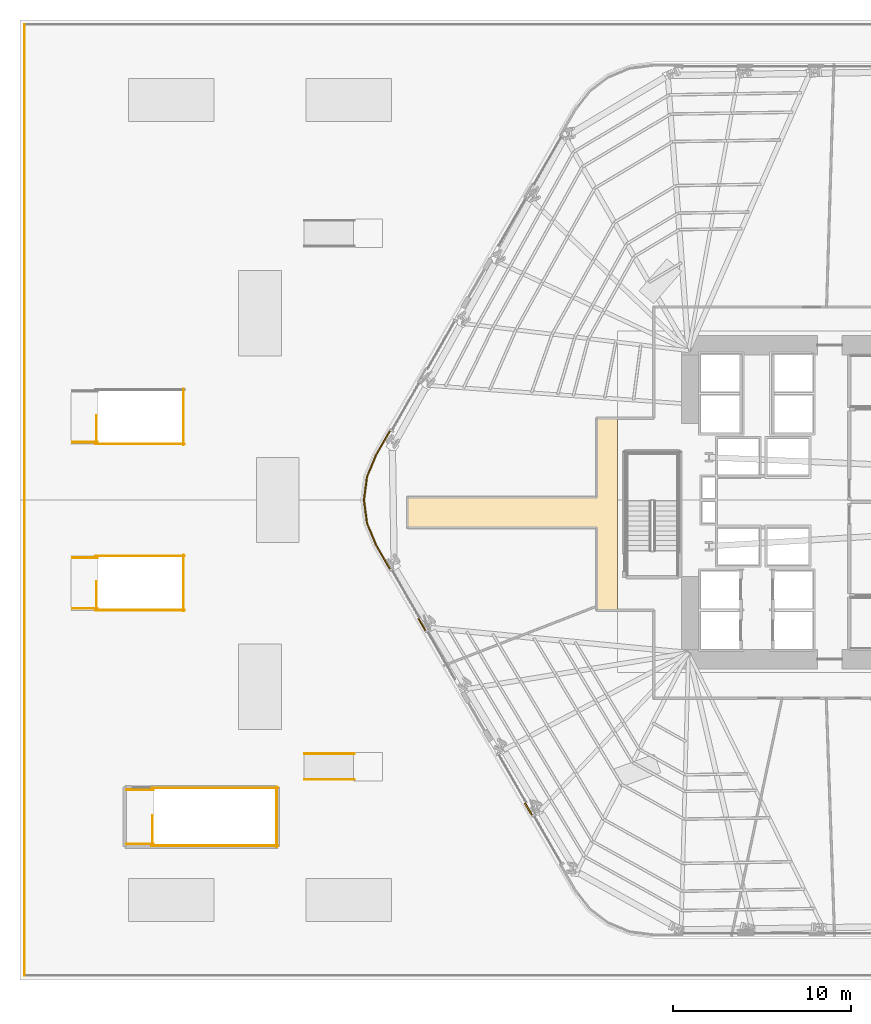
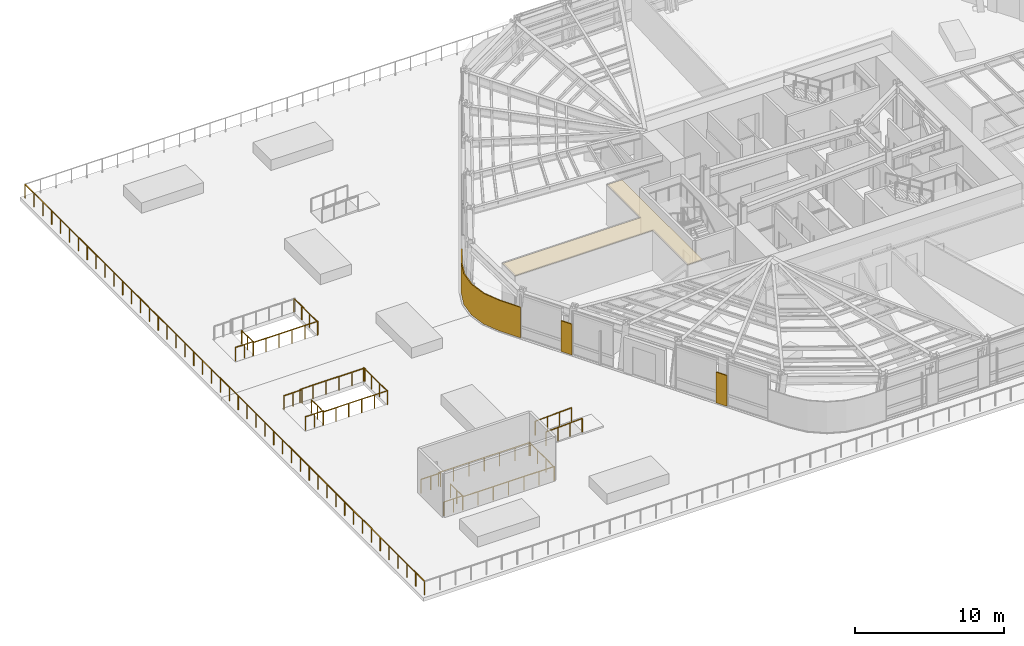
# One storey, part 11 of 18: 19 railings, 4 coverings.
"""IFC4 building model written with IfcOpenShell, lengths in metres."""

from ifc_helpers import new_model, si_unit, direction, frame, origin, origin_2d, place, context, subcontext, project, spatial, polyline, circle, outline, extrude, material, layer, layer_set, type_object, element, save


model = new_model("IFC4")

# Units and contexts
model_context = context("Model", 3, precision=1e-05, world=origin(), true_north=direction((0.0, 1.0)))
body_context = subcontext(model_context, "Body", "Model", "MODEL_VIEW")
ifc_project = project(units=[si_unit("LENGTHUNIT", "METRE"), si_unit("AREAUNIT", "SQUARE_METRE"), si_unit("VOLUMEUNIT", "CUBIC_METRE"), si_unit("PLANEANGLEUNIT", "RADIAN"), si_unit("MASSUNIT", "GRAM", prefix="KILO")], contexts=[model_context])

# Site, building, storey
site_placement = place(None, origin())
site = spatial("IfcSite", under=ifc_project, at=site_placement, CompositionType="ELEMENT")
building_placement = place(site_placement, origin())
building = spatial("IfcBuilding", under=site, at=building_placement, Name="Valkerne Bourse Tower", CompositionType="ELEMENT")
storey_placement = place(building_placement, frame((0.0, 0.0, 24.0)))
storey = spatial("IfcBuildingStorey", under=building, at=storey_placement, Name="L05", CompositionType="ELEMENT", Elevation=24.0)

# Coverings
ifc_material_1 = material(Name="Bronze Anodised Aluminium AA 6063-T6", Category="aluminium")
ifc_layer_1 = layer(ifc_material_1, 0.030029296875)
ifc_layer_set_1 = layer_set([ifc_layer_1], Name="Bronze Anodised Aluminium AA 6063-T6")
covering_type_1 = type_object("IfcCoveringType", Name="COV-CEIL-METAL", PredefinedType="CEILING", material=ifc_layer_set_1)
covering_1_placement = place(storey_placement, frame((0.0, 0.0, 3.22998046875)))
element("IfcCovering", 1, at=covering_1_placement, inside=storey, type_object=covering_type_1, Name="L05 Suspended Ceiling 02", PredefinedType="CEILING", context=body_context, shape_type="SweptSolid", body=[
    extrude(outline(polyline([(32.4541015625, 20.803955078125), (32.4541015625, 25.4541015625), (21.803955078125, 25.4541015625), (21.803955078125, 27.14599609375), (32.4541015625, 27.14599609375), (32.4541015625, 31.595947265625), (33.60009765625, 31.595947265625), (33.60009765625, 20.803955078125), (32.4541015625, 20.803955078125)])), origin(), (0.0, 0.0, 1.0), 0.02490234375),
])
ifc_layer_2 = layer(ifc_material_1, 0.06005859375)
ifc_layer_set_2 = layer_set([ifc_layer_2], Name="Bronze Anodised Aluminium AA 6063-T6")
covering_type_2 = type_object("IfcCoveringType", Name="COV-CRN-ALUM", PredefinedType="CLADDING", material=ifc_layer_set_2)
covering_2_placement = place(storey_placement, origin())
element("IfcCovering", 2, at=covering_2_placement, inside=storey, type_object=covering_type_2, Name="L05 Wind-Shaped Corner Aluminium Cladding 07", PredefinedType="CLADDING", context=body_context, shape_type="SweptSolid", body=[
    extrude(outline(polyline([(28.373779296875, 9.925048828125), (28.44287109375, 9.965087890625), (28.86279296875, 9.23779296875), (28.793701171875, 9.19775390625), (28.373779296875, 9.925048828125)])), origin(), (0.0, 0.0, 1.0), 2.5),
])
covering_3_placement = place(storey_placement, origin())
element("IfcCovering", 3, at=covering_3_placement, inside=storey, type_object=covering_type_2, Name="L05 Wind-Shaped Corner Aluminium Cladding 10", PredefinedType="CLADDING", context=body_context, shape_type="SweptSolid", body=[
    extrude(outline(polyline([(22.379638671875, 20.30712890625), (22.448974609375, 20.34716796875), (22.868896484375, 19.61962890625), (22.799560546875, 19.57958984375), (22.379638671875, 20.30712890625)])), origin(), (0.0, 0.0, 1.0), 2.5),
])
covering_4_placement = place(storey_placement, origin())
element("IfcCovering", 4, at=covering_4_placement, inside=storey, type_object=covering_type_2, Name="L05 Wind-Shaped Corner Aluminium Cladding 11", PredefinedType="CLADDING", context=body_context, shape_type="SweptSolid", body=[
    extrude(outline(polyline([(19.990966796875, 24.4443359375), (19.47900390625, 25.68017578125), (19.305419921875, 27.0), (19.47900390625, 28.31982421875), (19.990966796875, 29.5556640625), (20.801513671875, 30.959716796875), (20.870849609375, 30.919677734375), (20.06298828125, 29.520263671875), (19.556884765625, 28.298828125), (19.385986328125, 27.0), (19.556884765625, 25.701171875), (20.06298828125, 24.479736328125), (20.870849609375, 23.080322265625), (20.801513671875, 23.040283203125), (19.990966796875, 24.4443359375)])), origin(), (0.0, 0.0, 1.0), 2.5),
])

# Railings
ifc_material_2 = material(Name="Laminated Tempered Safety Glass", Category="glass")
railing_type_1 = type_object("IfcRailingType", Name="RLG-GUARD-1150", PredefinedType="BALUSTRADE", material=ifc_material_2)
railing_1_placement = place(storey_placement, frame((0.25, 53.75, 0.0)))
element("IfcRailing", 5, at=railing_1_placement, inside=storey, type_object=railing_type_1, Name="L05 Perimeter Guard Railing GRD-L05-OUT-04", PredefinedType="BALUSTRADE", context=body_context, shape_type="SweptSolid", body=[
    extrude(circle(Radius=0.02392578125, at=origin_2d()), frame((0.0, 0.0, 1.1259765625), z_axis=(0.0, -1.0, 0.0), x_axis=(1.0, 0.0, 0.0)), (0.0, 0.0, 1.0), 53.5),
    extrude(circle(Radius=0.02099609375, at=origin_2d()), origin(), (0.0, 0.0, 1.0), 1.101806640625),
    extrude(circle(Radius=0.02099609375, at=origin_2d()), frame((0.0, -1.18896484375, 0.0)), (0.0, 0.0, 1.0), 1.101806640625),
    extrude(circle(Radius=0.02099609375, at=origin_2d()), frame((0.0, -2.377685546875, 0.0)), (0.0, 0.0, 1.0), 1.101806640625),
    extrude(circle(Radius=0.02099609375, at=origin_2d()), frame((0.0, -3.566650390625, 0.0)), (0.0, 0.0, 1.0), 1.101806640625),
    extrude(circle(Radius=0.02099609375, at=origin_2d()), frame((0.0, -4.755615234375, 0.0)), (0.0, 0.0, 1.0), 1.101806640625),
    extrude(circle(Radius=0.02099609375, at=origin_2d()), frame((0.0, -5.9443359375, 0.0)), (0.0, 0.0, 1.0), 1.101806640625),
    extrude(circle(Radius=0.02099609375, at=origin_2d()), frame((0.0, -7.13330078125, 0.0)), (0.0, 0.0, 1.0), 1.101806640625),
    extrude(circle(Radius=0.02099609375, at=origin_2d()), frame((0.0, -8.322265625, 0.0)), (0.0, 0.0, 1.0), 1.101806640625),
    extrude(circle(Radius=0.02099609375, at=origin_2d()), frame((0.0, -9.51123046875, 0.0)), (0.0, 0.0, 1.0), 1.101806640625),
    extrude(circle(Radius=0.02099609375, at=origin_2d()), frame((0.0, -10.699951171875, 0.0)), (0.0, 0.0, 1.0), 1.101806640625),
    extrude(circle(Radius=0.02099609375, at=origin_2d()), frame((0.0, -11.888916015625, 0.0)), (0.0, 0.0, 1.0), 1.101806640625),
    extrude(circle(Radius=0.02099609375, at=origin_2d()), frame((0.0, -13.077880859375, 0.0)), (0.0, 0.0, 1.0), 1.101806640625),
    extrude(circle(Radius=0.02099609375, at=origin_2d()), frame((0.0, -14.2666015625, 0.0)), (0.0, 0.0, 1.0), 1.101806640625),
    extrude(circle(Radius=0.02099609375, at=origin_2d()), frame((0.0, -15.45556640625, 0.0)), (0.0, 0.0, 1.0), 1.101806640625),
    extrude(circle(Radius=0.02099609375, at=origin_2d()), frame((0.0, -16.64453125, 0.0)), (0.0, 0.0, 1.0), 1.101806640625),
    extrude(circle(Radius=0.02099609375, at=origin_2d()), frame((0.0, -17.833251953125, 0.0)), (0.0, 0.0, 1.0), 1.101806640625),
    extrude(circle(Radius=0.02099609375, at=origin_2d()), frame((0.0, -19.022216796875, 0.0)), (0.0, 0.0, 1.0), 1.101806640625),
    extrude(circle(Radius=0.02099609375, at=origin_2d()), frame((0.0, -20.211181640625, 0.0)), (0.0, 0.0, 1.0), 1.101806640625),
    extrude(circle(Radius=0.02099609375, at=origin_2d()), frame((0.0, -21.39990234375, 0.0)), (0.0, 0.0, 1.0), 1.101806640625),
    extrude(circle(Radius=0.02099609375, at=origin_2d()), frame((0.0, -22.5888671875, 0.0)), (0.0, 0.0, 1.0), 1.101806640625),
    extrude(circle(Radius=0.02099609375, at=origin_2d()), frame((0.0, -23.77783203125, 0.0)), (0.0, 0.0, 1.0), 1.101806640625),
    extrude(circle(Radius=0.02099609375, at=origin_2d()), frame((0.0, -24.966552734375, 0.0)), (0.0, 0.0, 1.0), 1.101806640625),
    extrude(circle(Radius=0.02099609375, at=origin_2d()), frame((0.0, -26.155517578125, 0.0)), (0.0, 0.0, 1.0), 1.101806640625),
    extrude(circle(Radius=0.02099609375, at=origin_2d()), frame((0.0, -27.344482421875, 0.0)), (0.0, 0.0, 1.0), 1.101806640625),
    extrude(circle(Radius=0.02099609375, at=origin_2d()), frame((0.0, -28.533447265625, 0.0)), (0.0, 0.0, 1.0), 1.101806640625),
    extrude(circle(Radius=0.02099609375, at=origin_2d()), frame((0.0, -29.72216796875, 0.0)), (0.0, 0.0, 1.0), 1.101806640625),
    extrude(circle(Radius=0.02099609375, at=origin_2d()), frame((0.0, -30.9111328125, 0.0)), (0.0, 0.0, 1.0), 1.101806640625),
    extrude(circle(Radius=0.02099609375, at=origin_2d()), frame((0.0, -32.10009765625, 0.0)), (0.0, 0.0, 1.0), 1.101806640625),
    extrude(circle(Radius=0.02099609375, at=origin_2d()), frame((0.0, -33.288818359375, 0.0)), (0.0, 0.0, 1.0), 1.101806640625),
    extrude(circle(Radius=0.02099609375, at=origin_2d()), frame((0.0, -34.477783203125, 0.0)), (0.0, 0.0, 1.0), 1.101806640625),
    extrude(circle(Radius=0.02099609375, at=origin_2d()), frame((0.0, -35.666748046875, 0.0)), (0.0, 0.0, 1.0), 1.101806640625),
    extrude(circle(Radius=0.02099609375, at=origin_2d()), frame((0.0, -36.85546875, 0.0)), (0.0, 0.0, 1.0), 1.101806640625),
    extrude(circle(Radius=0.02099609375, at=origin_2d()), frame((0.0, -38.04443359375, 0.0)), (0.0, 0.0, 1.0), 1.101806640625),
    extrude(circle(Radius=0.02099609375, at=origin_2d()), frame((0.0, -39.2333984375, 0.0)), (0.0, 0.0, 1.0), 1.101806640625),
    extrude(circle(Radius=0.02099609375, at=origin_2d()), frame((0.0, -40.422119140625, 0.0)), (0.0, 0.0, 1.0), 1.101806640625),
    extrude(circle(Radius=0.02099609375, at=origin_2d()), frame((0.0, -41.611083984375, 0.0)), (0.0, 0.0, 1.0), 1.101806640625),
    extrude(circle(Radius=0.02099609375, at=origin_2d()), frame((0.0, -42.800048828125, 0.0)), (0.0, 0.0, 1.0), 1.101806640625),
    extrude(circle(Radius=0.02099609375, at=origin_2d()), frame((0.0, -43.98876953125, 0.0)), (0.0, 0.0, 1.0), 1.101806640625),
    extrude(circle(Radius=0.02099609375, at=origin_2d()), frame((0.0, -45.177734375, 0.0)), (0.0, 0.0, 1.0), 1.101806640625),
    extrude(circle(Radius=0.02099609375, at=origin_2d()), frame((0.0, -46.36669921875, 0.0)), (0.0, 0.0, 1.0), 1.101806640625),
    extrude(circle(Radius=0.02099609375, at=origin_2d()), frame((0.0, -47.5556640625, 0.0)), (0.0, 0.0, 1.0), 1.101806640625),
    extrude(circle(Radius=0.02099609375, at=origin_2d()), frame((0.0, -48.744384765625, 0.0)), (0.0, 0.0, 1.0), 1.101806640625),
    extrude(circle(Radius=0.02099609375, at=origin_2d()), frame((0.0, -49.933349609375, 0.0)), (0.0, 0.0, 1.0), 1.101806640625),
    extrude(circle(Radius=0.02099609375, at=origin_2d()), frame((0.0, -51.122314453125, 0.0)), (0.0, 0.0, 1.0), 1.101806640625),
    extrude(circle(Radius=0.02099609375, at=origin_2d()), frame((0.0, -52.31103515625, 0.0)), (0.0, 0.0, 1.0), 1.101806640625),
    extrude(circle(Radius=0.02099609375, at=origin_2d()), frame((0.0, -53.5, 0.0)), (0.0, 0.0, 1.0), 1.101806640625),
])
for number, where, name in (
    (6, (16.0, 11.280029296875, 0.0), "L05 Accessible Ramp RMP-PED-03 Railing 1"),
    (7, (16.0, 12.719970703125, 0.0), "L05 Accessible Ramp RMP-PED-03 Railing 2"),
):
    element("IfcRailing", number, at=place(storey_placement, frame(where)), inside=storey, type_object=railing_type_1, Name=name, PredefinedType="BALUSTRADE", context=body_context, shape_type="SweptSolid", body=[
        extrude(circle(Radius=0.02392578125, at=origin_2d()), frame((0.0, 0.0, 1.1259765625), z_axis=(0.999081138197, 0.0, 0.042858829889), x_axis=(0.0, 1.0, 0.0)), (0.0, 0.0, 1.0), 2.802734375),
        extrude(circle(Radius=0.02099609375, at=origin_2d()), origin(), (0.0, 0.0, 1.0), 1.101806640625),
        extrude(circle(Radius=0.02099609375, at=origin_2d()), frame((0.933349609375, 0.0, 0.0400390625)), (0.0, 0.0, 1.0), 1.101806640625),
        extrude(circle(Radius=0.02099609375, at=origin_2d()), frame((1.86669921875, 0.0, 0.080078125)), (0.0, 0.0, 1.0), 1.101806640625),
        extrude(circle(Radius=0.02099609375, at=origin_2d()), frame((2.800048828125, 0.0, 0.1201171875)), (0.0, 0.0, 1.0), 1.101806640625),
    ])
ifc_material_3 = material(Name="Galvanised Painted Steel", Category="steel")
railing_type_2 = type_object("IfcRailingType", Name="RLG-ST-GUARD-1120", PredefinedType="GUARDRAIL", material=ifc_material_3)
railing_2_placement = place(storey_placement, frame((7.449951171875, 7.60009765625, 0.0)))
element("IfcRailing", 8, at=railing_2_placement, inside=storey, type_object=railing_type_2, Name="L05 ST-P1 top well guard 1", PredefinedType="GUARDRAIL", context=body_context, shape_type="SweptSolid", body=[
    extrude(circle(Radius=0.02392578125, at=origin_2d()), frame((0.0, 0.0, 1.09619140625), z_axis=(0.0, 1.0, 0.0), x_axis=(-1.0, 0.0, 0.0)), (0.0, 0.0, 1.0), 1.64990234375),
    extrude(circle(Radius=0.02099609375, at=origin_2d()), origin(), (0.0, 0.0, 1.0), 1.072021484375),
    extrude(circle(Radius=0.02099609375, at=origin_2d()), frame((0.0, 0.824951171875, 0.0)), (0.0, 0.0, 1.0), 1.072021484375),
    extrude(circle(Radius=0.02099609375, at=origin_2d()), frame((0.0, 1.64990234375, 0.0)), (0.0, 0.0, 1.0), 1.072021484375),
])
for number, where, name in (
    (9, (7.39990234375, 7.550048828125, 0.0), "L05 ST-P1 top well guard 2"),
    (10, (7.39990234375, 10.800048828125, 0.0), "L05 ST-P1 top well guard 3"),
):
    element("IfcRailing", number, at=place(storey_placement, frame(where)), inside=storey, type_object=railing_type_2, Name=name, PredefinedType="GUARDRAIL", context=body_context, shape_type="SweptSolid", body=[
        extrude(circle(Radius=0.02392578125, at=origin_2d()), frame((0.0, 0.0, 1.09619140625), z_axis=(1.0, 0.0, 0.0), x_axis=(0.0, 1.0, 0.0)), (0.0, 0.0, 1.0), 7.10009765625),
        extrude(circle(Radius=0.02099609375, at=origin_2d()), origin(), (0.0, 0.0, 1.0), 1.072021484375),
        extrude(circle(Radius=0.02099609375, at=origin_2d()), frame((1.183349609375, 0.0, 0.0)), (0.0, 0.0, 1.0), 1.072021484375),
        extrude(circle(Radius=0.02099609375, at=origin_2d()), frame((2.36669921875, 0.0, 0.0)), (0.0, 0.0, 1.0), 1.072021484375),
        extrude(circle(Radius=0.02099609375, at=origin_2d()), frame((3.550048828125, 0.0, 0.0)), (0.0, 0.0, 1.0), 1.072021484375),
        extrude(circle(Radius=0.02099609375, at=origin_2d()), frame((4.7333984375, 0.0, 0.0)), (0.0, 0.0, 1.0), 1.072021484375),
        extrude(circle(Radius=0.02099609375, at=origin_2d()), frame((5.916748046875, 0.0, 0.0)), (0.0, 0.0, 1.0), 1.072021484375),
        extrude(circle(Radius=0.02099609375, at=origin_2d()), frame((7.10009765625, 0.0, 0.0)), (0.0, 0.0, 1.0), 1.072021484375),
    ])
railing_3_placement = place(storey_placement, frame((14.449951171875, 7.5, 0.0)))
element("IfcRailing", 11, at=railing_3_placement, inside=storey, type_object=railing_type_2, Name="L05 ST-P1 top well guard 4", PredefinedType="GUARDRAIL", context=body_context, shape_type="SweptSolid", body=[
    extrude(circle(Radius=0.02392578125, at=origin_2d()), frame((0.0, 0.0, 1.09619140625), z_axis=(0.0, 1.0, 0.0), x_axis=(-1.0, 0.0, 0.0)), (0.0, 0.0, 1.0), 3.35009765625),
    extrude(circle(Radius=0.02099609375, at=origin_2d()), origin(), (0.0, 0.0, 1.0), 1.072021484375),
    extrude(circle(Radius=0.02099609375, at=origin_2d()), frame((0.0, 1.11669921875, 0.0)), (0.0, 0.0, 1.0), 1.072021484375),
    extrude(circle(Radius=0.02099609375, at=origin_2d()), frame((0.0, 2.2333984375, 0.0)), (0.0, 0.0, 1.0), 1.072021484375),
    extrude(circle(Radius=0.02099609375, at=origin_2d()), frame((0.0, 3.35009765625, 0.0)), (0.0, 0.0, 1.0), 1.072021484375),
])
for number, where, name in (
    (12, (6.0, 7.64990234375, 0.0), "L05 ST-P1 top well guard 5"),
    (13, (6.0, 10.699951171875, 0.0), "L05 ST-P1 top well guard 6"),
):
    element("IfcRailing", number, at=place(storey_placement, frame(where)), inside=storey, type_object=railing_type_2, Name=name, PredefinedType="GUARDRAIL", context=body_context, shape_type="SweptSolid", body=[
        extrude(circle(Radius=0.02392578125, at=origin_2d()), frame((0.0, 0.0, 1.09619140625), z_axis=(1.0, 0.0, 0.0), x_axis=(0.0, 1.0, 0.0)), (0.0, 0.0, 1.0), 1.5),
        extrude(circle(Radius=0.02099609375, at=origin_2d()), origin(), (0.0, 0.0, 1.0), 1.072021484375),
        extrude(circle(Radius=0.02099609375, at=origin_2d()), frame((0.75, 0.0, 0.0)), (0.0, 0.0, 1.0), 1.072021484375),
        extrude(circle(Radius=0.02099609375, at=origin_2d()), frame((1.5, 0.0, 0.0)), (0.0, 0.0, 1.0), 1.072021484375),
    ])
railing_4_placement = place(storey_placement, frame((4.300048828125, 20.85009765625, 0.0)))
element("IfcRailing", 14, at=railing_4_placement, inside=storey, type_object=railing_type_2, Name="L05 ST-G1 top well guard 1", PredefinedType="GUARDRAIL", context=body_context, shape_type="SweptSolid", body=[
    extrude(circle(Radius=0.02392578125, at=origin_2d()), frame((0.0, 0.0, 1.09619140625), z_axis=(0.0, 1.0, 0.0), x_axis=(-1.0, 0.0, 0.0)), (0.0, 0.0, 1.0), 1.5498046875),
    extrude(circle(Radius=0.02099609375, at=origin_2d()), origin(), (0.0, 0.0, 1.0), 1.072021484375),
    extrude(circle(Radius=0.02099609375, at=origin_2d()), frame((0.0, 0.77490234375, 0.0)), (0.0, 0.0, 1.0), 1.072021484375),
    extrude(circle(Radius=0.02099609375, at=origin_2d()), frame((0.0, 1.5498046875, 0.0)), (0.0, 0.0, 1.0), 1.072021484375),
])
for number, where, name in (
    (15, (4.25, 20.800048828125, 0.0), "L05 ST-G1 top well guard 2"),
    (16, (4.25, 23.85009765625, 0.0), "L05 ST-G1 top well guard 3"),
):
    element("IfcRailing", number, at=place(storey_placement, frame(where)), inside=storey, type_object=railing_type_2, Name=name, PredefinedType="GUARDRAIL", context=body_context, shape_type="SweptSolid", body=[
        extrude(circle(Radius=0.02392578125, at=origin_2d()), frame((0.0, 0.0, 1.09619140625), z_axis=(1.0, 0.0, 0.0), x_axis=(0.0, 1.0, 0.0)), (0.0, 0.0, 1.0), 5.0),
        extrude(circle(Radius=0.02099609375, at=origin_2d()), origin(), (0.0, 0.0, 1.0), 1.072021484375),
        extrude(circle(Radius=0.02099609375, at=origin_2d()), frame((1.0, 0.0, 0.0)), (0.0, 0.0, 1.0), 1.072021484375),
        extrude(circle(Radius=0.02099609375, at=origin_2d()), frame((2.0, 0.0, 0.0)), (0.0, 0.0, 1.0), 1.072021484375),
        extrude(circle(Radius=0.02099609375, at=origin_2d()), frame((3.0, 0.0, 0.0)), (0.0, 0.0, 1.0), 1.072021484375),
        extrude(circle(Radius=0.02099609375, at=origin_2d()), frame((4.0, 0.0, 0.0)), (0.0, 0.0, 1.0), 1.072021484375),
        extrude(circle(Radius=0.02099609375, at=origin_2d()), frame((5.0, 0.0, 0.0)), (0.0, 0.0, 1.0), 1.072021484375),
    ])
railing_5_placement = place(storey_placement, frame((9.199951171875, 20.75, 0.0)))
element("IfcRailing", 17, at=railing_5_placement, inside=storey, type_object=railing_type_2, Name="L05 ST-G1 top well guard 4", PredefinedType="GUARDRAIL", context=body_context, shape_type="SweptSolid", body=[
    extrude(circle(Radius=0.02392578125, at=origin_2d()), frame((0.0, 0.0, 1.09619140625), z_axis=(0.0, 1.0, 0.0), x_axis=(-1.0, 0.0, 0.0)), (0.0, 0.0, 1.0), 3.14990234375),
    extrude(circle(Radius=0.02099609375, at=origin_2d()), origin(), (0.0, 0.0, 1.0), 1.072021484375),
    extrude(circle(Radius=0.02099609375, at=origin_2d()), frame((0.0, 1.050048828125, 0.0)), (0.0, 0.0, 1.0), 1.072021484375),
    extrude(circle(Radius=0.02099609375, at=origin_2d()), frame((0.0, 2.099853515625, 0.0)), (0.0, 0.0, 1.0), 1.072021484375),
    extrude(circle(Radius=0.02099609375, at=origin_2d()), frame((0.0, 3.14990234375, 0.0)), (0.0, 0.0, 1.0), 1.072021484375),
])
for number, where, name in (
    (18, (2.949951171875, 20.89990234375, 0.0), "L05 ST-G1 top well guard 5"),
    (19, (2.949951171875, 23.75, 0.0), "L05 ST-G1 top well guard 6"),
):
    element("IfcRailing", number, at=place(storey_placement, frame(where)), inside=storey, type_object=railing_type_2, Name=name, PredefinedType="GUARDRAIL", context=body_context, shape_type="SweptSolid", body=[
        extrude(circle(Radius=0.02392578125, at=origin_2d()), frame((0.0, 0.0, 1.09619140625), z_axis=(1.0, 0.0, 0.0), x_axis=(0.0, 1.0, 0.0)), (0.0, 0.0, 1.0), 1.400146484375),
        extrude(circle(Radius=0.02099609375, at=origin_2d()), origin(), (0.0, 0.0, 1.0), 1.072021484375),
        extrude(circle(Radius=0.02099609375, at=origin_2d()), frame((0.7001953125, 0.0, 0.0)), (0.0, 0.0, 1.0), 1.072021484375),
        extrude(circle(Radius=0.02099609375, at=origin_2d()), frame((1.400146484375, 0.0, 0.0)), (0.0, 0.0, 1.0), 1.072021484375),
    ])
railing_6_placement = place(storey_placement, frame((4.300048828125, 30.199951171875, 0.0)))
element("IfcRailing", 20, at=railing_6_placement, inside=storey, type_object=railing_type_2, Name="L05 ST-G2 top well guard 1", PredefinedType="GUARDRAIL", context=body_context, shape_type="SweptSolid", body=[
    extrude(circle(Radius=0.02392578125, at=origin_2d()), frame((0.0, 0.0, 1.09619140625), z_axis=(0.0, 1.0, 0.0), x_axis=(-1.0, 0.0, 0.0)), (0.0, 0.0, 1.0), 1.550048828125),
    extrude(circle(Radius=0.02099609375, at=origin_2d()), origin(), (0.0, 0.0, 1.0), 1.072021484375),
    extrude(circle(Radius=0.02099609375, at=origin_2d()), frame((0.0, 0.77490234375, 0.0)), (0.0, 0.0, 1.0), 1.072021484375),
    extrude(circle(Radius=0.02099609375, at=origin_2d()), frame((0.0, 1.550048828125, 0.0)), (0.0, 0.0, 1.0), 1.072021484375),
])
railing_7_placement = place(storey_placement, frame((4.25, 30.14990234375, 0.0)))
element("IfcRailing", 21, at=railing_7_placement, inside=storey, type_object=railing_type_2, Name="L05 ST-G2 top well guard 2", PredefinedType="GUARDRAIL", context=body_context, shape_type="SweptSolid", body=[
    extrude(circle(Radius=0.02392578125, at=origin_2d()), frame((0.0, 0.0, 1.09619140625), z_axis=(1.0, 0.0, 0.0), x_axis=(0.0, 1.0, 0.0)), (0.0, 0.0, 1.0), 5.0),
    extrude(circle(Radius=0.02099609375, at=origin_2d()), origin(), (0.0, 0.0, 1.0), 1.072021484375),
    extrude(circle(Radius=0.02099609375, at=origin_2d()), frame((1.0, 0.0, 0.0)), (0.0, 0.0, 1.0), 1.072021484375),
    extrude(circle(Radius=0.02099609375, at=origin_2d()), frame((2.0, 0.0, 0.0)), (0.0, 0.0, 1.0), 1.072021484375),
    extrude(circle(Radius=0.02099609375, at=origin_2d()), frame((3.0, 0.0, 0.0)), (0.0, 0.0, 1.0), 1.072021484375),
    extrude(circle(Radius=0.02099609375, at=origin_2d()), frame((4.0, 0.0, 0.0)), (0.0, 0.0, 1.0), 1.072021484375),
    extrude(circle(Radius=0.02099609375, at=origin_2d()), frame((5.0, 0.0, 0.0)), (0.0, 0.0, 1.0), 1.072021484375),
])
railing_8_placement = place(storey_placement, frame((9.199951171875, 30.10009765625, 0.0)))
element("IfcRailing", 22, at=railing_8_placement, inside=storey, type_object=railing_type_2, Name="L05 ST-G2 top well guard 4", PredefinedType="GUARDRAIL", context=body_context, shape_type="SweptSolid", body=[
    extrude(circle(Radius=0.02392578125, at=origin_2d()), frame((0.0, 0.0, 1.09619140625), z_axis=(0.0, 1.0, 0.0), x_axis=(-1.0, 0.0, 0.0)), (0.0, 0.0, 1.0), 3.14990234375),
    extrude(circle(Radius=0.02099609375, at=origin_2d()), origin(), (0.0, 0.0, 1.0), 1.072021484375),
    extrude(circle(Radius=0.02099609375, at=origin_2d()), frame((0.0, 1.050048828125, 0.0)), (0.0, 0.0, 1.0), 1.072021484375),
    extrude(circle(Radius=0.02099609375, at=origin_2d()), frame((0.0, 2.099853515625, 0.0)), (0.0, 0.0, 1.0), 1.072021484375),
    extrude(circle(Radius=0.02099609375, at=origin_2d()), frame((0.0, 3.14990234375, 0.0)), (0.0, 0.0, 1.0), 1.072021484375),
])
railing_9_placement = place(storey_placement, frame((2.949951171875, 30.25, 0.0)))
element("IfcRailing", 23, at=railing_9_placement, inside=storey, type_object=railing_type_2, Name="L05 ST-G2 top well guard 5", PredefinedType="GUARDRAIL", context=body_context, shape_type="SweptSolid", body=[
    extrude(circle(Radius=0.02392578125, at=origin_2d()), frame((0.0, 0.0, 1.09619140625), z_axis=(1.0, 0.0, 0.0), x_axis=(0.0, 1.0, 0.0)), (0.0, 0.0, 1.0), 1.400146484375),
    extrude(circle(Radius=0.02099609375, at=origin_2d()), origin(), (0.0, 0.0, 1.0), 1.072021484375),
    extrude(circle(Radius=0.02099609375, at=origin_2d()), frame((0.7001953125, 0.0, 0.0)), (0.0, 0.0, 1.0), 1.072021484375),
    extrude(circle(Radius=0.02099609375, at=origin_2d()), frame((1.400146484375, 0.0, 0.0)), (0.0, 0.0, 1.0), 1.072021484375),
])

save(model, "model.ifc")
